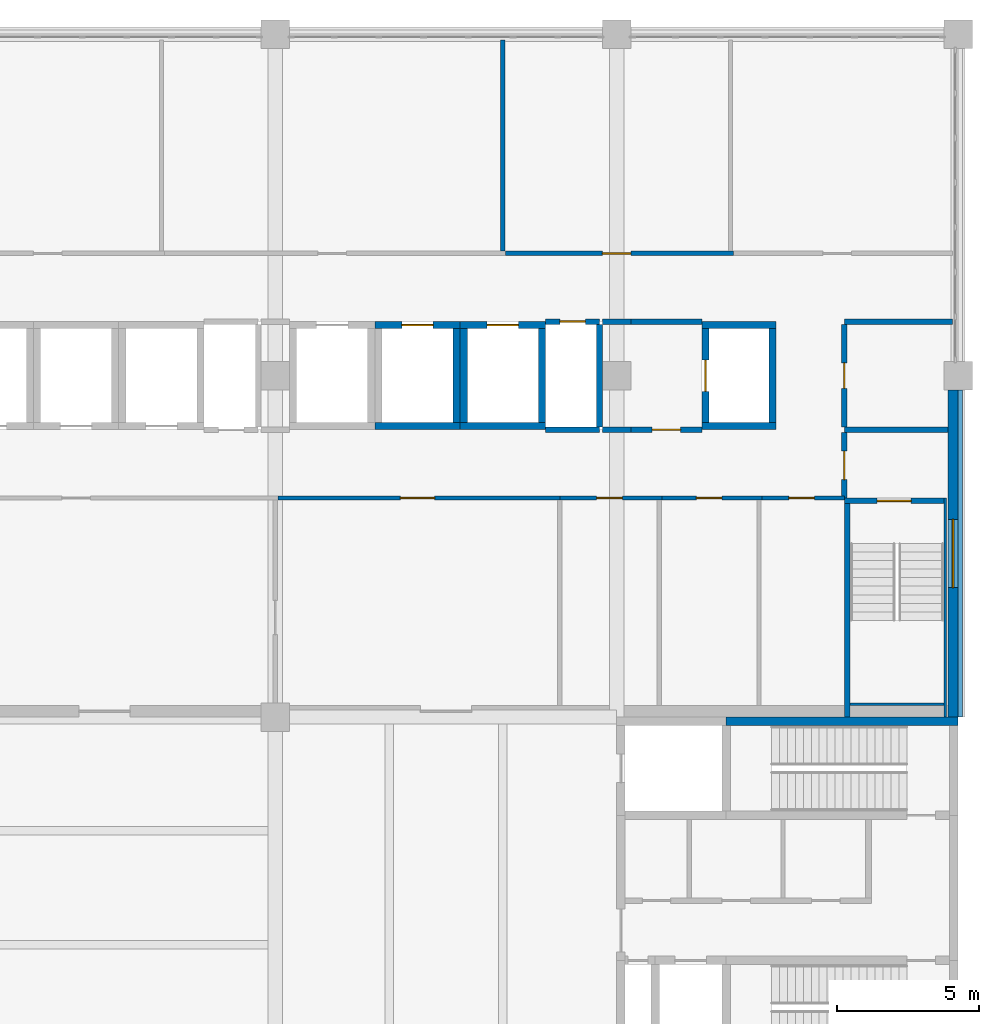
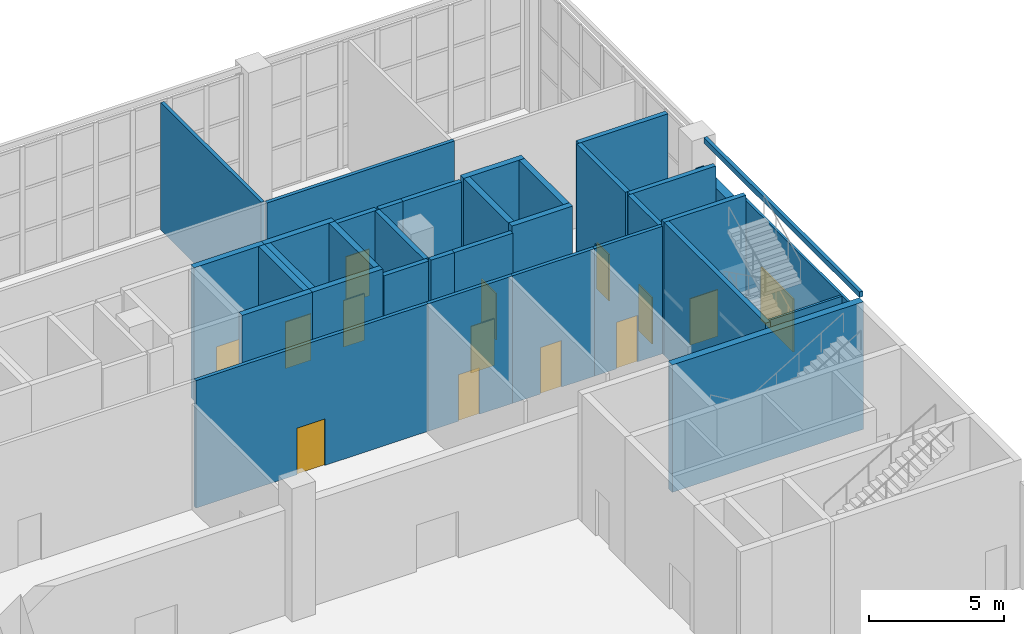
# One storey, part 66 of 72: 35 walls, 13 doors, 1 window, 14 openings.
"""IFC4 building model written with IfcOpenShell, lengths in metres."""

from ifc_helpers import new_model, si_unit, direction, frame, frame_2d, origin, place, context, subcontext, project, spatial, rectangle, extrude, material, layer, layer_set, type_object, element, fill, save


model = new_model("IFC4")

# Units and contexts
model_context = context("Model", 3, precision=1e-05, world=origin(), true_north=direction((0.0, 1.0)))
body_context = subcontext(model_context, "Body", "Model", "MODEL_VIEW")
ifc_project = project(units=[si_unit("LENGTHUNIT", "METRE"), si_unit("AREAUNIT", "SQUARE_METRE"), si_unit("VOLUMEUNIT", "CUBIC_METRE"), si_unit("PLANEANGLEUNIT", "RADIAN"), si_unit("MASSUNIT", "GRAM", prefix="KILO")], contexts=[model_context])

# Site, building, storey
site_placement = place(None, origin())
site = spatial("IfcSite", under=ifc_project, at=site_placement, CompositionType="ELEMENT")
building_placement = place(site_placement, origin())
building = spatial("IfcBuilding", under=site, at=building_placement, Name="Lilac Gate Convention Centre", CompositionType="ELEMENT")
storey_placement = place(building_placement, frame((0.0, 0.0, 6.0)))
storey = spatial("IfcBuildingStorey", under=building, at=storey_placement, Name="L01", CompositionType="ELEMENT", Elevation=6.0)

# Walls
ifc_material_1 = material(Name="Concrete C60", Category="concrete")
ifc_layer_1 = layer(ifc_material_1, 0.10009765625)
ifc_layer_set_1 = layer_set([ifc_layer_1], Name="Concrete C60")
wall_type_1 = type_object("IfcWallType", Name="Core wall 100 C60", PredefinedType="SHEAR", material=ifc_layer_set_1)
wall_1_placement = place(storey_placement, frame((89.550048828125, 229.699951171875, 0.0), z_axis=(0.0, 0.0, 1.0), x_axis=(0.0, -1.0, 0.0)))
element("IfcWall", 1, at=wall_1_placement, inside=storey, type_object=wall_type_1, Name="CRW8 core wall TS-EX L01 1", PredefinedType="SHEAR", context=body_context, shape_type="SweptSolid", body=[
    extrude(rectangle(XDim=7.699951171875, YDim=0.10009765625, at=frame_2d((3.85009765625, 0.0))), origin(), (0.0, 0.0, 1.0), 5.75),
])
wall_2_placement = place(storey_placement, frame((89.5, 222.449951171875, 0.0), z_axis=(0.0, 0.0, 1.0), x_axis=(-1.0, 0.0, 0.0)))
element("IfcWall", 2, at=wall_2_placement, inside=storey, type_object=wall_type_1, Name="CRW8 core wall TS-EX L01 2", PredefinedType="SHEAR", context=body_context, shape_type="SweptSolid", body=[
    extrude(rectangle(XDim=3.300048828125, YDim=0.10009765625, at=frame_2d((1.64990234375, 0.0))), origin(), (0.0, 0.0, 1.0), 5.75),
])

# Wall, opening, door
ifc_layer_2 = layer(ifc_material_1, 0.199951171875)
ifc_layer_set_2 = layer_set([ifc_layer_2], Name="Concrete C60")
wall_type_2 = type_object("IfcWallType", Name="Core wall 200 C60", PredefinedType="SHEAR", material=ifc_layer_set_2)
wall_3_placement = place(storey_placement, frame((89.5, 229.60009765625, 0.0), z_axis=(0.0, 0.0, 1.0), x_axis=(-1.0, 0.0, 0.0)))
wall_3 = element("IfcWall", 3, at=wall_3_placement, inside=storey, type_object=wall_type_2, Name="CRW2 core wall TS-E L01 1", PredefinedType="SHEAR", context=body_context, shape_type="SweptSolid", body=[
    extrude(rectangle(XDim=3.5, YDim=0.199951171875, at=frame_2d((1.75, 0.0))), origin(), (0.0, 0.0, 1.0), 6.0),
])
opening_1_placement = place(wall_3_placement, frame((1.14990234375, 0.0, 0.0)))
opening_1 = element("IfcOpeningElement", 4, at=opening_1_placement, cuts=wall_3, Name="Opening T01-030", PredefinedType="OPENING", context=body_context, shape_type="SweptSolid", body=[
    extrude(rectangle(XDim=1.199951171875, YDim=2.10009765625, at=frame_2d((0.60009765625, 1.050048828125))), frame((0.0, 0.10986328125, 0.0), z_axis=(0.0, -1.0, 0.0), x_axis=(1.0, 0.0, 0.0)), (0.0, 0.0, 1.0), 0.219970703125),
])
ifc_material_2 = material(Name="Steel Q235B", Category="steel")
door_type_1 = type_object("IfcDoorType", Name="Stair door 1200", OperationType="SINGLE_SWING_LEFT", PredefinedType="DOOR", material=ifc_material_2)
door_1_placement = place(opening_1_placement, origin())
door_1 = element("IfcDoor", 5, at=door_1_placement, inside=storey, type_object=door_type_1, Name="Stair door SE L01", OperationType="SINGLE_SWING_RIGHT", OverallHeight=2.10009765625, OverallWidth=1.199951171875, PredefinedType="DOOR", context=body_context, shape_type="SweptSolid", body=[
    extrude(rectangle(XDim=1.199951171875, YDim=2.10009765625, at=frame_2d((0.60009765625, 1.050048828125))), frame((0.0, 0.02490234375, 0.0), z_axis=(0.0, -1.0, 0.0), x_axis=(1.0, 0.0, 0.0)), (0.0, 0.0, 1.0), 0.050048828125),
])
fill(opening_1, door_1)

# Walls
wall_4_placement = place(storey_placement, frame((86.10009765625, 222.0, 0.0), z_axis=(0.0, 0.0, 1.0), x_axis=(0.0, 1.0, 0.0)))
element("IfcWall", 6, at=wall_4_placement, inside=storey, type_object=wall_type_2, Name="CRW2 core wall TS-E L01 2", PredefinedType="SHEAR", context=body_context, shape_type="SweptSolid", body=[
    extrude(rectangle(XDim=7.5, YDim=0.199951171875, at=frame_2d((3.75, 0.0))), origin(), (0.0, 0.0, 1.0), 6.0),
])
ifc_layer_3 = layer(ifc_material_1, 0.25)
ifc_layer_set_3 = layer_set([ifc_layer_3], Name="Concrete C60")
wall_type_3 = type_object("IfcWallType", Name="Core wall 250 C60", PredefinedType="SHEAR", material=ifc_layer_set_3)
wall_5_placement = place(storey_placement, frame((69.5, 232.22509765625, 0.0), z_axis=(0.0, 0.0, 1.0), x_axis=(1.0, 0.0, 0.0)))
element("IfcWall", 7, at=wall_5_placement, inside=storey, type_object=wall_type_3, Name="CRW3 core wall TC L01 17", PredefinedType="SHEAR", context=body_context, shape_type="SweptSolid", body=[
    extrude(rectangle(XDim=3.0, YDim=0.25, at=frame_2d((1.5, 0.0))), origin(), (0.0, 0.0, 1.0), 6.0),
])

# Wall, opening, door
wall_6_placement = place(storey_placement, frame((69.5, 235.77490234375, 0.0), z_axis=(0.0, 0.0, 1.0), x_axis=(1.0, 0.0, 0.0)))
wall_6 = element("IfcWall", 8, at=wall_6_placement, inside=storey, type_object=wall_type_3, Name="CRW3 core wall TC L01 18", PredefinedType="SHEAR", context=body_context, shape_type="SweptSolid", body=[
    extrude(rectangle(XDim=3.0, YDim=0.25, at=frame_2d((1.5, 0.0))), origin(), (0.0, 0.0, 1.0), 6.0),
])
opening_2_placement = place(wall_6_placement, frame((0.949951171875, 0.0, 0.0)))
opening_2 = element("IfcOpeningElement", 9, at=opening_2_placement, cuts=wall_6, Name="Opening T01-024", PredefinedType="OPENING", context=body_context, shape_type="SweptSolid", body=[
    extrude(rectangle(XDim=1.10009765625, YDim=2.10009765625, at=frame_2d((0.550048828125, 1.050048828125))), frame((0.0, 0.135009765625, 0.0), z_axis=(0.0, -1.0, 0.0), x_axis=(1.0, 0.0, 0.0)), (0.0, 0.0, 1.0), 0.27001953125),
])
ifc_material_3 = material(Name="Stainless steel 304", Category="steel")
door_type_2 = type_object("IfcDoorType", Name="Lift landing door 1100", OperationType="SLIDING_TO_LEFT", PredefinedType="DOOR", material=ifc_material_3)
door_2_placement = place(opening_2_placement, origin())
door_2 = element("IfcDoor", 10, at=door_2_placement, inside=storey, type_object=door_type_2, Name="Lift landing door TP5 L01", OperationType="SLIDING_TO_LEFT", OverallHeight=2.10009765625, OverallWidth=1.10009765625, PredefinedType="DOOR", context=body_context, shape_type="SweptSolid", body=[
    extrude(rectangle(XDim=1.10009765625, YDim=2.10009765625, at=frame_2d((0.550048828125, 1.050048828125))), frame((0.0, 0.02490234375, 0.0), z_axis=(0.0, -1.0, 0.0), x_axis=(1.0, 0.0, 0.0)), (0.0, 0.0, 1.0), 0.050048828125),
])
fill(opening_2, door_2)

# Walls
wall_7_placement = place(storey_placement, frame((72.375, 232.35009765625, 0.0), z_axis=(0.0, 0.0, 1.0), x_axis=(0.0, 1.0, 0.0)))
element("IfcWall", 11, at=wall_7_placement, inside=storey, type_object=wall_type_3, Name="CRW3 core wall TC L01 20", PredefinedType="SHEAR", context=body_context, shape_type="SweptSolid", body=[
    extrude(rectangle(XDim=3.2998046875, YDim=0.25, at=frame_2d((1.64990234375, 0.0))), origin(), (0.0, 0.0, 1.0), 6.0),
])
wall_8_placement = place(storey_placement, frame((72.5, 232.22509765625, 0.0), z_axis=(0.0, 0.0, 1.0), x_axis=(1.0, 0.0, 0.0)))
element("IfcWall", 12, at=wall_8_placement, inside=storey, type_object=wall_type_3, Name="CRW3 core wall TC L01 21", PredefinedType="SHEAR", context=body_context, shape_type="SweptSolid", body=[
    extrude(rectangle(XDim=3.0, YDim=0.25, at=frame_2d((1.5, 0.0))), origin(), (0.0, 0.0, 1.0), 6.0),
])

# Wall, opening, door
wall_9_placement = place(storey_placement, frame((72.5, 235.77490234375, 0.0), z_axis=(0.0, 0.0, 1.0), x_axis=(1.0, 0.0, 0.0)))
wall_9 = element("IfcWall", 13, at=wall_9_placement, inside=storey, type_object=wall_type_3, Name="CRW3 core wall TC L01 22", PredefinedType="SHEAR", context=body_context, shape_type="SweptSolid", body=[
    extrude(rectangle(XDim=3.0, YDim=0.25, at=frame_2d((1.5, 0.0))), origin(), (0.0, 0.0, 1.0), 6.0),
])
opening_3_placement = place(wall_9_placement, frame((0.949951171875, 0.0, 0.0)))
opening_3 = element("IfcOpeningElement", 14, at=opening_3_placement, cuts=wall_9, Name="Opening T01-025", PredefinedType="OPENING", context=body_context, shape_type="SweptSolid", body=[
    extrude(rectangle(XDim=1.10009765625, YDim=2.10009765625, at=frame_2d((0.550048828125, 1.050048828125))), frame((0.0, 0.135009765625, 0.0), z_axis=(0.0, -1.0, 0.0), x_axis=(1.0, 0.0, 0.0)), (0.0, 0.0, 1.0), 0.27001953125),
])
door_3_placement = place(opening_3_placement, origin())
door_3 = element("IfcDoor", 15, at=door_3_placement, inside=storey, type_object=door_type_2, Name="Lift landing door TP6 L01", OperationType="SLIDING_TO_LEFT", OverallHeight=2.10009765625, OverallWidth=1.10009765625, PredefinedType="DOOR", context=body_context, shape_type="SweptSolid", body=[
    extrude(rectangle(XDim=1.10009765625, YDim=2.10009765625, at=frame_2d((0.550048828125, 1.050048828125))), frame((0.0, 0.02490234375, 0.0), z_axis=(0.0, -1.0, 0.0), x_axis=(1.0, 0.0, 0.0)), (0.0, 0.0, 1.0), 0.050048828125),
])
fill(opening_3, door_3)

# Walls
for number, where, z_axis, x_axis, name in (
    (16, (72.625, 232.35009765625, 0.0), (0.0, 0.0, 1.0), (0.0, 1.0, 0.0), "CRW3 core wall TC L01 23"),
    (17, (75.375, 232.35009765625, 0.0), (0.0, 0.0, 1.0), (0.0, 1.0, 0.0), "CRW3 core wall TC L01 24"),
):
    element("IfcWall", number, at=place(storey_placement, frame(where, z_axis=z_axis, x_axis=x_axis)), inside=storey, type_object=wall_type_3, Name=name, PredefinedType="SHEAR", context=body_context, shape_type="SweptSolid", body=[
        extrude(rectangle(XDim=3.2998046875, YDim=0.25, at=frame_2d((1.64990234375, 0.0))), origin(), (0.0, 0.0, 1.0), 6.0),
    ])
for number, where, z_axis, x_axis, name in (
    (18, (81.0, 232.22509765625, 0.0), (0.0, 0.0, 1.0), (1.0, 0.0, 0.0), "CRW3 core wall TC L01 33"),
    (19, (81.0, 235.77490234375, 0.0), (0.0, 0.0, 1.0), (1.0, 0.0, 0.0), "CRW3 core wall TC L01 34"),
):
    element("IfcWall", number, at=place(storey_placement, frame(where, z_axis=z_axis, x_axis=x_axis)), inside=storey, type_object=wall_type_3, Name=name, PredefinedType="SHEAR", context=body_context, shape_type="SweptSolid", body=[
        extrude(rectangle(XDim=2.60009765625, YDim=0.25, at=frame_2d((1.300048828125, 0.0))), origin(), (0.0, 0.0, 1.0), 6.0),
    ])

# Wall, opening, door
wall_10_placement = place(storey_placement, frame((81.125, 232.35009765625, 0.0), z_axis=(0.0, 0.0, 1.0), x_axis=(0.0, 1.0, 0.0)))
wall_10 = element("IfcWall", 20, at=wall_10_placement, inside=storey, type_object=wall_type_3, Name="CRW3 core wall TC L01 35", PredefinedType="SHEAR", context=body_context, shape_type="SweptSolid", body=[
    extrude(rectangle(XDim=3.2998046875, YDim=0.25, at=frame_2d((1.64990234375, 0.0))), origin(), (0.0, 0.0, 1.0), 6.0),
])
opening_4_placement = place(wall_10_placement, frame((1.10009765625, 0.0, 0.0)))
opening_4 = element("IfcOpeningElement", 21, at=opening_4_placement, cuts=wall_10, Name="Opening T01-028", PredefinedType="OPENING", context=body_context, shape_type="SweptSolid", body=[
    extrude(rectangle(XDim=1.10009765625, YDim=2.10009765625, at=frame_2d((0.550048828125, 1.050048828125))), frame((0.0, 0.135009765625, 0.0), z_axis=(0.0, -1.0, 0.0), x_axis=(1.0, 0.0, 0.0)), (0.0, 0.0, 1.0), 0.27001953125),
])
door_4_placement = place(opening_4_placement, origin())
door_4 = element("IfcDoor", 22, at=door_4_placement, inside=storey, type_object=door_type_2, Name="Lift landing door TF1 L01", OperationType="SLIDING_TO_LEFT", OverallHeight=2.10009765625, OverallWidth=1.10009765625, PredefinedType="DOOR", context=body_context, shape_type="SweptSolid", body=[
    extrude(rectangle(XDim=1.10009765625, YDim=2.10009765625, at=frame_2d((0.550048828125, 1.050048828125))), frame((0.0, 0.02490234375, 0.0), z_axis=(0.0, -1.0, 0.0), x_axis=(1.0, 0.0, 0.0)), (0.0, 0.0, 1.0), 0.050048828125),
])
fill(opening_4, door_4)

# Wall
wall_11_placement = place(storey_placement, frame((83.47509765625, 232.35009765625, 0.0), z_axis=(0.0, 0.0, 1.0), x_axis=(0.0, 1.0, 0.0)))
element("IfcWall", 23, at=wall_11_placement, inside=storey, type_object=wall_type_3, Name="CRW3 core wall TC L01 36", PredefinedType="SHEAR", context=body_context, shape_type="SweptSolid", body=[
    extrude(rectangle(XDim=3.2998046875, YDim=0.25, at=frame_2d((1.64990234375, 0.0))), origin(), (0.0, 0.0, 1.0), 6.0),
])

# Wall, opening, door
ifc_material_4 = material(Name="Gypsum board on steel stud", Category="steel")
ifc_layer_4 = layer(ifc_material_4, 0.14990234375)
ifc_layer_set_4 = layer_set([ifc_layer_4], Name="Gypsum board on steel stud")
wall_type_4 = type_object("IfcWallType", Name="Corridor wall 150", PredefinedType="PARTITIONING", material=ifc_layer_set_4)
wall_12_placement = place(storey_placement, frame((76.0, 229.699951171875, 0.0), z_axis=(0.0, 0.0, 1.0), x_axis=(-1.0, 0.0, 0.0)))
wall_12 = element("IfcWall", 24, at=wall_12_placement, inside=storey, type_object=wall_type_4, Name="Corridor wall 150 front SKT", PredefinedType="PARTITIONING", context=body_context, shape_type="SweptSolid", body=[
    extrude(rectangle(XDim=9.89990234375, YDim=0.14990234375, at=frame_2d((4.949951171875, 0.0))), origin(), (0.0, 0.0, 1.0), 5.75),
])
opening_5_placement = place(wall_12_placement, frame((4.39990234375, 0.0, 0.0)))
opening_5 = element("IfcOpeningElement", 25, at=opening_5_placement, cuts=wall_12, Name="Opening T01-010", PredefinedType="OPENING", context=body_context, shape_type="SweptSolid", body=[
    extrude(rectangle(XDim=1.199951171875, YDim=2.10009765625, at=frame_2d((0.60009765625, 1.050048828125))), frame((0.0, 0.0849609375, 0.0), z_axis=(0.0, -1.0, 0.0), x_axis=(1.0, 0.0, 0.0)), (0.0, 0.0, 1.0), 0.169921875),
])
door_type_3 = type_object("IfcDoorType", Name="Kitchen door 1200", OperationType="SINGLE_SWING_LEFT", PredefinedType="DOOR", material=ifc_material_2)
door_5_placement = place(opening_5_placement, origin())
door_5 = element("IfcDoor", 26, at=door_5_placement, inside=storey, type_object=door_type_3, Name="Restaurant Kitchen door", OperationType="SINGLE_SWING_LEFT", OverallHeight=2.10009765625, OverallWidth=1.199951171875, PredefinedType="DOOR", context=body_context, shape_type="SweptSolid", body=[
    extrude(rectangle(XDim=1.199951171875, YDim=2.10009765625, at=frame_2d((0.60009765625, 1.050048828125))), frame((0.0, 0.02490234375, 0.0), z_axis=(0.0, -1.0, 0.0), x_axis=(1.0, 0.0, 0.0)), (0.0, 0.0, 1.0), 0.050048828125),
])
fill(opening_5, door_5)

wall_13_placement = place(storey_placement, frame((79.60009765625, 229.699951171875, 0.0), z_axis=(0.0, 0.0, 1.0), x_axis=(-1.0, 0.0, 0.0)))
wall_13 = element("IfcWall", 27, at=wall_13_placement, inside=storey, type_object=wall_type_4, Name="Corridor wall 150 front WC-W", PredefinedType="PARTITIONING", context=body_context, shape_type="SweptSolid", body=[
    extrude(rectangle(XDim=3.60009765625, YDim=0.14990234375, at=frame_2d((1.800048828125, 0.0))), origin(), (0.0, 0.0, 1.0), 5.75),
])
opening_6_placement = place(wall_13_placement, frame((1.39990234375, 0.0, 0.0)))
opening_6 = element("IfcOpeningElement", 28, at=opening_6_placement, cuts=wall_13, Name="Opening T01-012", PredefinedType="OPENING", context=body_context, shape_type="SweptSolid", body=[
    extrude(rectangle(XDim=0.89990234375, YDim=2.10009765625, at=frame_2d((0.449951171875, 1.050048828125))), frame((0.0, 0.0849609375, 0.0), z_axis=(0.0, -1.0, 0.0), x_axis=(1.0, 0.0, 0.0)), (0.0, 0.0, 1.0), 0.169921875),
])
ifc_material_5 = material(Name="Timber", Category="wood")
door_type_4 = type_object("IfcDoorType", Name="WC door 900", OperationType="SINGLE_SWING_LEFT", PredefinedType="DOOR", material=ifc_material_5)
door_6_placement = place(opening_6_placement, origin())
door_6 = element("IfcDoor", 29, at=door_6_placement, inside=storey, type_object=door_type_4, Name="Women's WC door", OperationType="SINGLE_SWING_LEFT", OverallHeight=2.10009765625, OverallWidth=0.89990234375, PredefinedType="DOOR", context=body_context, shape_type="SweptSolid", body=[
    extrude(rectangle(XDim=0.89990234375, YDim=2.10009765625, at=frame_2d((0.449951171875, 1.050048828125))), frame((0.0, 0.02490234375, 0.0), z_axis=(0.0, -1.0, 0.0), x_axis=(1.0, 0.0, 0.0)), (0.0, 0.0, 1.0), 0.050048828125),
])
fill(opening_6, door_6)

wall_14_placement = place(storey_placement, frame((83.10009765625, 229.699951171875, 0.0), z_axis=(0.0, 0.0, 1.0), x_axis=(-1.0, 0.0, 0.0)))
wall_14 = element("IfcWall", 30, at=wall_14_placement, inside=storey, type_object=wall_type_4, Name="Corridor wall 150 front WC-M", PredefinedType="PARTITIONING", context=body_context, shape_type="SweptSolid", body=[
    extrude(rectangle(XDim=3.5, YDim=0.14990234375, at=frame_2d((1.75, 0.0))), origin(), (0.0, 0.0, 1.0), 5.75),
])
opening_7_placement = place(wall_14_placement, frame((1.39990234375, 0.0, 0.0)))
opening_7 = element("IfcOpeningElement", 31, at=opening_7_placement, cuts=wall_14, Name="Opening T01-013", PredefinedType="OPENING", context=body_context, shape_type="SweptSolid", body=[
    extrude(rectangle(XDim=0.89990234375, YDim=2.10009765625, at=frame_2d((0.449951171875, 1.050048828125))), frame((0.0, 0.0849609375, 0.0), z_axis=(0.0, -1.0, 0.0), x_axis=(1.0, 0.0, 0.0)), (0.0, 0.0, 1.0), 0.169921875),
])
door_7_placement = place(opening_7_placement, origin())
door_7 = element("IfcDoor", 32, at=door_7_placement, inside=storey, type_object=door_type_4, Name="Men's WC door", OperationType="SINGLE_SWING_LEFT", OverallHeight=2.10009765625, OverallWidth=0.89990234375, PredefinedType="DOOR", context=body_context, shape_type="SweptSolid", body=[
    extrude(rectangle(XDim=0.89990234375, YDim=2.10009765625, at=frame_2d((0.449951171875, 1.050048828125))), frame((0.0, 0.02490234375, 0.0), z_axis=(0.0, -1.0, 0.0), x_axis=(1.0, 0.0, 0.0)), (0.0, 0.0, 1.0), 0.050048828125),
])
fill(opening_7, door_7)

wall_15_placement = place(storey_placement, frame((86.0, 229.699951171875, 0.0), z_axis=(0.0, 0.0, 1.0), x_axis=(-1.0, 0.0, 0.0)))
wall_15 = element("IfcWall", 33, at=wall_15_placement, inside=storey, type_object=wall_type_4, Name="Corridor wall 150 front WC-A", PredefinedType="PARTITIONING", context=body_context, shape_type="SweptSolid", body=[
    extrude(rectangle(XDim=2.89990234375, YDim=0.14990234375, at=frame_2d((1.449951171875, 0.0))), origin(), (0.0, 0.0, 1.0), 5.75),
])
opening_8_placement = place(wall_15_placement, frame((1.050048828125, 0.0, 0.0)))
opening_8 = element("IfcOpeningElement", 34, at=opening_8_placement, cuts=wall_15, Name="Opening T01-014", PredefinedType="OPENING", context=body_context, shape_type="SweptSolid", body=[
    extrude(rectangle(XDim=0.89990234375, YDim=2.10009765625, at=frame_2d((0.449951171875, 1.050048828125))), frame((0.0, 0.0849609375, 0.0), z_axis=(0.0, -1.0, 0.0), x_axis=(1.0, 0.0, 0.0)), (0.0, 0.0, 1.0), 0.169921875),
])
door_8_placement = place(opening_8_placement, origin())
door_8 = element("IfcDoor", 35, at=door_8_placement, inside=storey, type_object=door_type_4, Name="Accessible WC door", OperationType="SINGLE_SWING_RIGHT", OverallHeight=2.10009765625, OverallWidth=0.89990234375, PredefinedType="DOOR", context=body_context, shape_type="SweptSolid", body=[
    extrude(rectangle(XDim=0.89990234375, YDim=2.10009765625, at=frame_2d((0.449951171875, 1.050048828125))), frame((0.0, 0.02490234375, 0.0), z_axis=(0.0, -1.0, 0.0), x_axis=(1.0, 0.0, 0.0)), (0.0, 0.0, 1.0), 0.050048828125),
])
fill(opening_8, door_8)

wall_16_placement = place(storey_placement, frame((74.10009765625, 238.300048828125, 0.0), z_axis=(0.0, 0.0, 1.0), x_axis=(1.0, 0.0, 0.0)))
wall_16 = element("IfcWall", 36, at=wall_16_placement, inside=storey, type_object=wall_type_4, Name="Corridor wall 150 front PD1", PredefinedType="PARTITIONING", context=body_context, shape_type="SweptSolid", body=[
    extrude(rectangle(XDim=8.0, YDim=0.14990234375, at=frame_2d((4.0, 0.0))), origin(), (0.0, 0.0, 1.0), 5.75),
])
opening_9_placement = place(wall_16_placement, frame((3.39990234375, 0.0, 0.0)))
opening_9 = element("IfcOpeningElement", 37, at=opening_9_placement, cuts=wall_16, Name="Opening T01-018", PredefinedType="OPENING", context=body_context, shape_type="SweptSolid", body=[
    extrude(rectangle(XDim=1.0, YDim=2.10009765625, at=frame_2d((0.5, 1.050048828125))), frame((0.0, 0.0849609375, 0.0), z_axis=(0.0, -1.0, 0.0), x_axis=(1.0, 0.0, 0.0)), (0.0, 0.0, 1.0), 0.169921875),
])
door_type_5 = type_object("IfcDoorType", Name="Room door 1000", OperationType="SINGLE_SWING_LEFT", PredefinedType="DOOR", material=ifc_material_5)
door_9_placement = place(opening_9_placement, origin())
door_9 = element("IfcDoor", 38, at=door_9_placement, inside=storey, type_object=door_type_5, Name="Private Dining Room door", OperationType="SINGLE_SWING_LEFT", OverallHeight=2.10009765625, OverallWidth=1.0, PredefinedType="DOOR", context=body_context, shape_type="SweptSolid", body=[
    extrude(rectangle(XDim=1.0, YDim=2.10009765625, at=frame_2d((0.5, 1.050048828125))), frame((0.0, 0.02490234375, 0.0), z_axis=(0.0, -1.0, 0.0), x_axis=(1.0, 0.0, 0.0)), (0.0, 0.0, 1.0), 0.050048828125),
])
fill(opening_9, door_9)

ifc_layer_5 = layer(ifc_material_4, 0.199951171875)
ifc_layer_set_5 = layer_set([ifc_layer_5], Name="Gypsum board on steel stud")
wall_type_5 = type_object("IfcWallType", Name="Lobby wall 200", PredefinedType="PARTITIONING", material=ifc_layer_set_5)
wall_17_placement = place(storey_placement, frame((78.5, 232.10009765625, 0.0), z_axis=(0.0, 0.0, 1.0), x_axis=(1.0, 0.0, 0.0)))
wall_17 = element("IfcWall", 39, at=wall_17_placement, inside=storey, type_object=wall_type_5, Name="Lobby wall 200 FFL-S", PredefinedType="PARTITIONING", context=body_context, shape_type="SweptSolid", body=[
    extrude(rectangle(XDim=2.5, YDim=0.199951171875, at=frame_2d((1.25, 0.0))), origin(), (0.0, 0.0, 1.0), 5.75),
])
opening_10_placement = place(wall_17_placement, frame((0.75, 0.0, 0.0)))
opening_10 = element("IfcOpeningElement", 40, at=opening_10_placement, cuts=wall_17, Name="Opening T01-004", PredefinedType="OPENING", context=body_context, shape_type="SweptSolid", body=[
    extrude(rectangle(XDim=1.0, YDim=2.10009765625, at=frame_2d((0.5, 1.050048828125))), frame((0.0, 0.10986328125, 0.0), z_axis=(0.0, -1.0, 0.0), x_axis=(1.0, 0.0, 0.0)), (0.0, 0.0, 1.0), 0.219970703125),
])
door_type_6 = type_object("IfcDoorType", Name="Lobby door 1000", OperationType="SINGLE_SWING_LEFT", PredefinedType="DOOR", material=ifc_material_2)
door_10_placement = place(opening_10_placement, origin())
door_10 = element("IfcDoor", 41, at=door_10_placement, inside=storey, type_object=door_type_6, Name="Firefighting lobby door", OperationType="SINGLE_SWING_RIGHT", OverallHeight=2.10009765625, OverallWidth=1.0, PredefinedType="DOOR", context=body_context, shape_type="SweptSolid", body=[
    extrude(rectangle(XDim=1.0, YDim=2.10009765625, at=frame_2d((0.5, 1.050048828125))), frame((0.0, 0.02490234375, 0.0), z_axis=(0.0, -1.0, 0.0), x_axis=(1.0, 0.0, 0.0)), (0.0, 0.0, 1.0), 0.050048828125),
])
fill(opening_10, door_10)

# Walls
wall_18_placement = place(storey_placement, frame((86.0, 232.10009765625, 0.0), z_axis=(0.0, 0.0, 1.0), x_axis=(1.0, 0.0, 0.0)))
element("IfcWall", 42, at=wall_18_placement, inside=storey, type_object=wall_type_5, Name="Lobby wall 200 STL-N", PredefinedType="PARTITIONING", context=body_context, shape_type="SweptSolid", body=[
    extrude(rectangle(XDim=3.64990234375, YDim=0.199951171875, at=frame_2d((1.824951171875, 0.0))), origin(), (0.0, 0.0, 1.0), 5.75),
])
wall_19_placement = place(storey_placement, frame((78.5, 235.89990234375, 0.0), z_axis=(0.0, 0.0, 1.0), x_axis=(1.0, 0.0, 0.0)))
element("IfcWall", 43, at=wall_19_placement, inside=storey, type_object=wall_type_5, Name="Lobby wall 200 FFL-N", PredefinedType="PARTITIONING", context=body_context, shape_type="SweptSolid", body=[
    extrude(rectangle(XDim=2.5, YDim=0.199951171875, at=frame_2d((1.25, 0.0))), origin(), (0.0, 0.0, 1.0), 5.75),
])

# Wall, opening, door
wall_20_placement = place(storey_placement, frame((86.0, 232.0, 0.0), z_axis=(0.0, 0.0, 1.0), x_axis=(0.0, -1.0, 0.0)))
wall_20 = element("IfcWall", 44, at=wall_20_placement, inside=storey, type_object=wall_type_5, Name="Lobby wall 200 STL-SE-W", PredefinedType="PARTITIONING", context=body_context, shape_type="SweptSolid", body=[
    extrude(rectangle(XDim=2.300048828125, YDim=0.199951171875, at=frame_2d((1.14990234375, 0.0))), origin(), (0.0, 0.0, 1.0), 5.75),
])
opening_11_placement = place(wall_20_placement, frame((0.64990234375, 0.0, 0.0)))
opening_11 = element("IfcOpeningElement", 45, at=opening_11_placement, cuts=wall_20, Name="Opening T01-007", PredefinedType="OPENING", context=body_context, shape_type="SweptSolid", body=[
    extrude(rectangle(XDim=1.0, YDim=2.10009765625, at=frame_2d((0.5, 1.050048828125))), frame((0.0, 0.10986328125, 0.0), z_axis=(0.0, -1.0, 0.0), x_axis=(1.0, 0.0, 0.0)), (0.0, 0.0, 1.0), 0.219970703125),
])
door_11_placement = place(opening_11_placement, origin())
door_11 = element("IfcDoor", 46, at=door_11_placement, inside=storey, type_object=door_type_6, Name="Stair lobby door SE", OperationType="SINGLE_SWING_LEFT", OverallHeight=2.10009765625, OverallWidth=1.0, PredefinedType="DOOR", context=body_context, shape_type="SweptSolid", body=[
    extrude(rectangle(XDim=1.0, YDim=2.10009765625, at=frame_2d((0.5, 1.050048828125))), frame((0.0, 0.02490234375, 0.0), z_axis=(0.0, -1.0, 0.0), x_axis=(1.0, 0.0, 0.0)), (0.0, 0.0, 1.0), 0.050048828125),
])
fill(opening_11, door_11)

# Wall, opening, window
ifc_material_6 = material(Name="Ochre mineral render")
ifc_layer_6 = layer(ifc_material_6, 0.02001953125)
ifc_material_7 = material(Name="Concrete C40 precast", Category="concrete")
ifc_layer_7 = layer(ifc_material_7, 0.06005859375)
ifc_material_8 = material(Name="Ventilated air cavity")
ifc_layer_8 = layer(ifc_material_8, 0.030029296875)
ifc_material_9 = material(Name="Mineral wool insulation")
ifc_layer_9 = layer(ifc_material_9, 0.169921875)
ifc_material_10 = material(Name="Steel stud Q345 and gypsum lining", Category="steel")
ifc_layer_10 = layer(ifc_material_10, 0.070068359375)
ifc_layer_set_6 = layer_set([ifc_layer_6, ifc_layer_7, ifc_layer_8, ifc_layer_9, ifc_layer_10], Name="Ochre mineral render, Concrete C40 precast, Ventilated air cavity, Mineral wool insulation, Steel stud Q345 and gypsum lining")
wall_type_6 = type_object("IfcWallType", Name="Podium precast wall 350", PredefinedType="STANDARD", material=ifc_layer_set_6)
wall_21_placement = place(storey_placement, frame((89.824951171875, 222.0, 0.0), z_axis=(0.0, 0.0, 1.0), x_axis=(0.0, 1.0, 0.0)))
wall_21 = element("IfcWall", 47, at=wall_21_placement, inside=storey, type_object=wall_type_6, Name="External wall E L01 1", PredefinedType="STANDARD", context=body_context, shape_type="SweptSolid", body=[
    extrude(rectangle(XDim=11.5, YDim=0.35009765625, at=frame_2d((5.75, 0.0))), origin(), (0.0, 0.0, 1.0), 4.75),
])
opening_12_placement = place(wall_21_placement, frame((4.550048828125, 0.0, 0.60009765625)))
opening_12 = element("IfcOpeningElement", 48, at=opening_12_placement, cuts=wall_21, Name="Opening W4", PredefinedType="OPENING", context=body_context, shape_type="SweptSolid", body=[
    extrude(rectangle(XDim=2.39990234375, YDim=2.39990234375, at=frame_2d((1.199951171875, 1.199951171875))), frame((0.0, 0.18505859375, 0.0), z_axis=(0.0, -1.0, 0.0), x_axis=(1.0, 0.0, 0.0)), (0.0, 0.0, 1.0), 0.3701171875),
])
ifc_material_11 = material(Name="Aluminium framed double glazing", Category="aluminium")
window_type = type_object("IfcWindowType", Name="Restaurant window 2400 x 2400", PartitioningType="TRIPLE_PANEL_VERTICAL", PredefinedType="WINDOW", material=ifc_material_11)
window_placement = place(opening_12_placement, origin())
window = element("IfcWindow", 49, at=window_placement, inside=storey, type_object=window_type, Name="Window lobby E L01", OverallHeight=2.39990234375, OverallWidth=2.39990234375, PartitioningType="SINGLE_PANEL", PredefinedType="WINDOW", context=body_context, shape_type="SweptSolid", body=[
    extrude(rectangle(XDim=2.39990234375, YDim=2.39990234375, at=frame_2d((1.199951171875, 1.199951171875))), frame((0.0, 0.030029296875, 0.0), z_axis=(0.0, -1.0, 0.0), x_axis=(1.0, 0.0, 0.0)), (0.0, 0.0, 1.0), 0.06005859375),
])
fill(opening_12, window)

# Walls
ifc_layer_11 = layer(ifc_material_7, 0.1298828125)
ifc_layer_12 = layer(ifc_material_6, 0.02001953125)
ifc_layer_set_7 = layer_set([ifc_layer_11, ifc_layer_12], Name="Concrete C40 precast, Ochre mineral render")
wall_type_7 = type_object("IfcWallType", Name="Precast band ochre 150", PredefinedType="STANDARD", material=ifc_layer_set_7)
wall_22_placement = place(storey_placement, frame((90.074951171875, 222.0, 5.75), z_axis=(0.0, 0.0, 1.0), x_axis=(0.0, 1.0, 0.0)))
element("IfcWall", 50, at=wall_22_placement, inside=storey, type_object=wall_type_7, Name="Precast band E L01 1", PredefinedType="STANDARD", context=body_context, shape_type="SweptSolid", body=[
    extrude(rectangle(XDim=11.5, YDim=0.14990234375, at=frame_2d((5.75, 0.0))), origin(), (0.0, 0.0, 1.0), 0.25),
])
ifc_layer_13 = layer(ifc_material_4, 0.199951171875)
ifc_layer_set_8 = layer_set([ifc_layer_13], Name="Gypsum board on steel stud")
wall_type_8 = type_object("IfcWallType", Name="Riser and store wall 200", PredefinedType="PARTITIONING", material=ifc_layer_set_8)
wall_23_placement = place(storey_placement, frame((75.5, 232.10009765625, 0.0), z_axis=(0.0, 0.0, 1.0), x_axis=(1.0, 0.0, 0.0)))
element("IfcWall", 51, at=wall_23_placement, inside=storey, type_object=wall_type_8, Name="Riser and store wall 200 RS2-S", PredefinedType="PARTITIONING", context=body_context, shape_type="SweptSolid", body=[
    extrude(rectangle(XDim=1.89990234375, YDim=0.199951171875, at=frame_2d((0.949951171875, 0.0))), origin(), (0.0, 0.0, 1.0), 5.75),
])
wall_24_placement = place(storey_placement, frame((77.5, 232.10009765625, 0.0), z_axis=(0.0, 0.0, 1.0), x_axis=(1.0, 0.0, 0.0)))
element("IfcWall", 52, at=wall_24_placement, inside=storey, type_object=wall_type_8, Name="Riser and store wall 200 NICHE3-S", PredefinedType="PARTITIONING", context=body_context, shape_type="SweptSolid", body=[
    extrude(rectangle(XDim=1.0, YDim=0.199951171875, at=frame_2d((0.5, 0.0))), origin(), (0.0, 0.0, 1.0), 5.75),
])

# Wall, opening, door
wall_25_placement = place(storey_placement, frame((77.39990234375, 235.89990234375, 0.0), z_axis=(0.0, 0.0, 1.0), x_axis=(-1.0, 0.0, 0.0)))
wall_25 = element("IfcWall", 53, at=wall_25_placement, inside=storey, type_object=wall_type_8, Name="Riser and store wall 200 RS2-N", PredefinedType="PARTITIONING", context=body_context, shape_type="SweptSolid", body=[
    extrude(rectangle(XDim=1.89990234375, YDim=0.199951171875, at=frame_2d((0.949951171875, 0.0))), origin(), (0.0, 0.0, 1.0), 5.75),
])
opening_13_placement = place(wall_25_placement, frame((0.5, 0.0, 0.0)))
opening_13 = element("IfcOpeningElement", 54, at=opening_13_placement, cuts=wall_25, Name="Opening T01-003", PredefinedType="OPENING", context=body_context, shape_type="SweptSolid", body=[
    extrude(rectangle(XDim=0.89990234375, YDim=2.10009765625, at=frame_2d((0.449951171875, 1.050048828125))), frame((0.0, 0.10986328125, 0.0), z_axis=(0.0, -1.0, 0.0), x_axis=(1.0, 0.0, 0.0)), (0.0, 0.0, 1.0), 0.219970703125),
])
door_type_7 = type_object("IfcDoorType", Name="Riser and store door 900", OperationType="SINGLE_SWING_LEFT", PredefinedType="DOOR", material=ifc_material_2)
door_12_placement = place(opening_13_placement, origin())
door_12 = element("IfcDoor", 55, at=door_12_placement, inside=storey, type_object=door_type_7, Name="Riser room door", OperationType="SINGLE_SWING_LEFT", OverallHeight=2.10009765625, OverallWidth=0.89990234375, PredefinedType="DOOR", context=body_context, shape_type="SweptSolid", body=[
    extrude(rectangle(XDim=0.89990234375, YDim=2.10009765625, at=frame_2d((0.449951171875, 1.050048828125))), frame((0.0, 0.02490234375, 0.0), z_axis=(0.0, -1.0, 0.0), x_axis=(1.0, 0.0, 0.0)), (0.0, 0.0, 1.0), 0.050048828125),
])
fill(opening_13, door_12)

# Walls
wall_26_placement = place(storey_placement, frame((77.5, 235.89990234375, 0.0), z_axis=(0.0, 0.0, 1.0), x_axis=(1.0, 0.0, 0.0)))
element("IfcWall", 56, at=wall_26_placement, inside=storey, type_object=wall_type_8, Name="Riser and store wall 200 NICHE3-N", PredefinedType="PARTITIONING", context=body_context, shape_type="SweptSolid", body=[
    extrude(rectangle(XDim=1.0, YDim=0.199951171875, at=frame_2d((0.5, 0.0))), origin(), (0.0, 0.0, 1.0), 5.75),
])
wall_27_placement = place(storey_placement, frame((86.0, 235.89990234375, 0.0), z_axis=(0.0, 0.0, 1.0), x_axis=(1.0, 0.0, 0.0)))
element("IfcWall", 57, at=wall_27_placement, inside=storey, type_object=wall_type_8, Name="Riser and store wall 200 STE-N", PredefinedType="PARTITIONING", context=body_context, shape_type="SweptSolid", body=[
    extrude(rectangle(XDim=3.7998046875, YDim=0.199951171875, at=frame_2d((1.89990234375, 0.0))), origin(), (0.0, 0.0, 1.0), 5.75),
])
wall_28_placement = place(storey_placement, frame((77.39990234375, 232.199951171875, 0.0), z_axis=(0.0, 0.0, 1.0), x_axis=(0.0, 1.0, 0.0)))
element("IfcWall", 58, at=wall_28_placement, inside=storey, type_object=wall_type_8, Name="Riser and store wall 200 RS2-E", PredefinedType="PARTITIONING", context=body_context, shape_type="SweptSolid", body=[
    extrude(rectangle(XDim=3.60009765625, YDim=0.199951171875, at=frame_2d((1.800048828125, 0.0))), origin(), (0.0, 0.0, 1.0), 5.75),
])

# Wall, opening, door
wall_29_placement = place(storey_placement, frame((86.0, 235.800048828125, 0.0), z_axis=(0.0, 0.0, 1.0), x_axis=(0.0, -1.0, 0.0)))
wall_29 = element("IfcWall", 59, at=wall_29_placement, inside=storey, type_object=wall_type_8, Name="Riser and store wall 200 STE-W", PredefinedType="PARTITIONING", context=body_context, shape_type="SweptSolid", body=[
    extrude(rectangle(XDim=3.60009765625, YDim=0.199951171875, at=frame_2d((1.800048828125, 0.0))), origin(), (0.0, 0.0, 1.0), 5.75),
])
opening_14_placement = place(wall_29_placement, frame((1.35009765625, 0.0, 0.0)))
opening_14 = element("IfcOpeningElement", 60, at=opening_14_placement, cuts=wall_29, Name="Opening T01-005", PredefinedType="OPENING", context=body_context, shape_type="SweptSolid", body=[
    extrude(rectangle(XDim=0.89990234375, YDim=2.10009765625, at=frame_2d((0.449951171875, 1.050048828125))), frame((0.0, 0.10986328125, 0.0), z_axis=(0.0, -1.0, 0.0), x_axis=(1.0, 0.0, 0.0)), (0.0, 0.0, 1.0), 0.219970703125),
])
door_13_placement = place(opening_14_placement, origin())
door_13 = element("IfcDoor", 61, at=door_13_placement, inside=storey, type_object=door_type_7, Name="Linen store door", OperationType="SINGLE_SWING_LEFT", OverallHeight=2.10009765625, OverallWidth=0.89990234375, PredefinedType="DOOR", context=body_context, shape_type="SweptSolid", body=[
    extrude(rectangle(XDim=0.89990234375, YDim=2.10009765625, at=frame_2d((0.449951171875, 1.050048828125))), frame((0.0, 0.02490234375, 0.0), z_axis=(0.0, -1.0, 0.0), x_axis=(1.0, 0.0, 0.0)), (0.0, 0.0, 1.0), 0.050048828125),
])
fill(opening_14, door_13)

# Walls
ifc_layer_14 = layer(ifc_material_4, 0.14990234375)
ifc_layer_set_9 = layer_set([ifc_layer_14], Name="Gypsum board on steel stud")
wall_type_9 = type_object("IfcWallType", Name="Room partition 150", PredefinedType="PARTITIONING", material=ifc_layer_set_9)
wall_30_placement = place(storey_placement, frame((74.0, 245.7998046875, 0.0), z_axis=(0.0, 0.0, 1.0), x_axis=(0.0, -1.0, 0.0)))
element("IfcWall", 62, at=wall_30_placement, inside=storey, type_object=wall_type_9, Name="Room partition 150 part PD1", PredefinedType="PARTITIONING", context=body_context, shape_type="SweptSolid", body=[
    extrude(rectangle(XDim=7.4248046875, YDim=0.14990234375, at=frame_2d((3.71240234375, 0.0))), origin(), (0.0, 0.0, 1.0), 5.75),
])
ifc_material_12 = material(Name="Concrete C40", Category="concrete")
ifc_layer_15 = layer(ifc_material_12, 0.300048828125)
ifc_layer_set_10 = layer_set([ifc_layer_15], Name="Concrete C40")
wall_type_10 = type_object("IfcWallType", Name="Shear wall 300 C40", PredefinedType="SHEAR", material=ifc_layer_set_10)
wall_31_placement = place(storey_placement, frame((90.0, 221.85009765625, 0.0), z_axis=(0.0, 0.0, 1.0), x_axis=(-1.0, 0.0, 0.0)))
element("IfcWall", 63, at=wall_31_placement, inside=storey, type_object=wall_type_10, Name="SW1 shear wall E4 L01 4", PredefinedType="SHEAR", context=body_context, shape_type="SweptSolid", body=[
    extrude(rectangle(XDim=8.14990234375, YDim=0.300048828125, at=frame_2d((4.074951171875, 0.0))), origin(), (0.0, 0.0, 1.0), 5.75),
])

save(model, "model.ifc")
